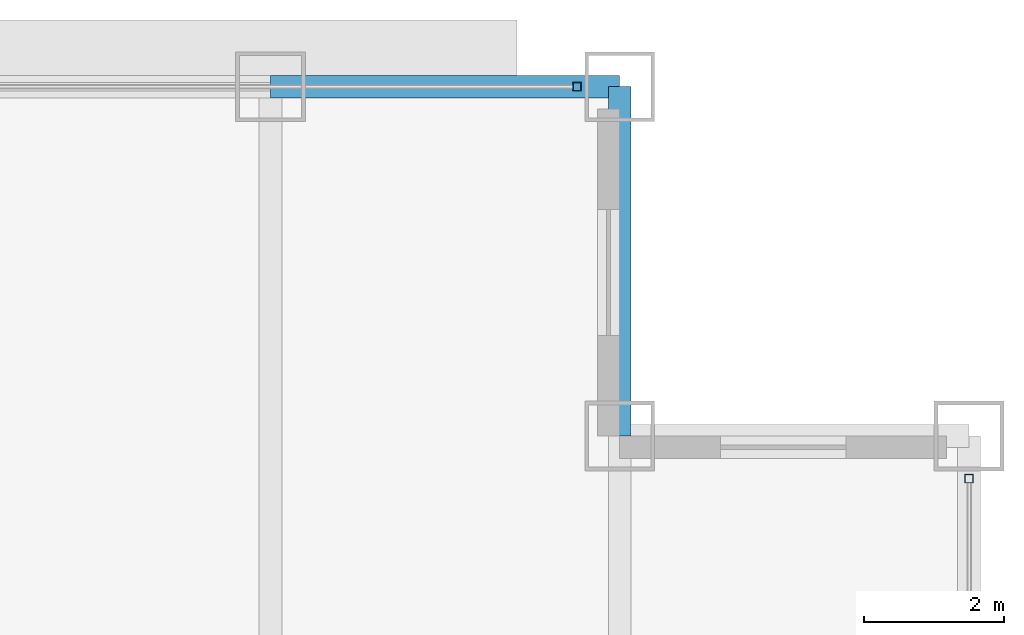
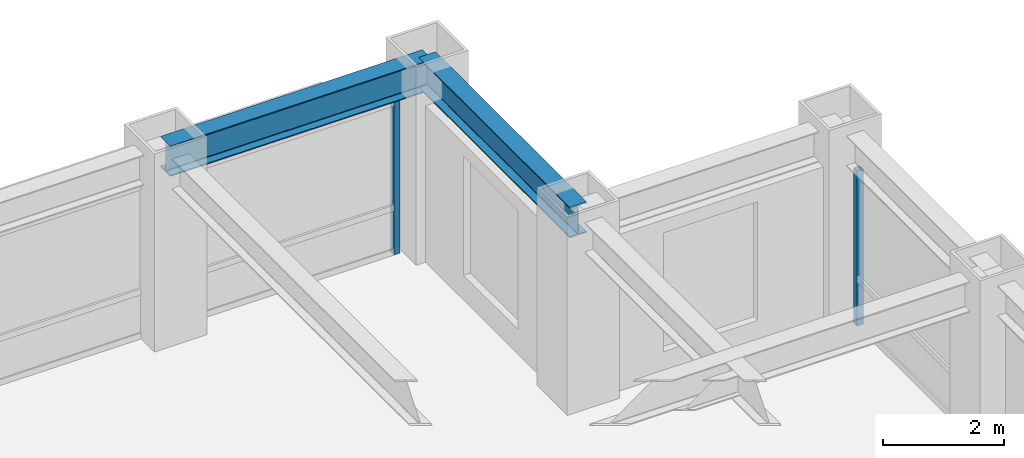
# One storey, part 18 of 29: 2 beams, 2 members, 2 elements without a shape of their own.
"""IFC4 building model written with IfcOpenShell, lengths in metres."""

from ifc_helpers import new_model, si_unit, direction, frame, origin, origin_2d, place, context, subcontext, project, spatial, hollow_rectangle, i_section, extrude, source, transform, mapped, material, material_profile, profile_set, type_object, element, aggregate, save


model = new_model("IFC4")

# Units and contexts
model_context = context("Model", 3, precision=1e-05, world=origin(), true_north=direction((0.0, 1.0)))
body_context = subcontext(model_context, "Body", "Model", "MODEL_VIEW")
ifc_project = project(units=[si_unit("LENGTHUNIT", "METRE"), si_unit("AREAUNIT", "SQUARE_METRE"), si_unit("VOLUMEUNIT", "CUBIC_METRE"), si_unit("PLANEANGLEUNIT", "RADIAN"), si_unit("MASSUNIT", "GRAM", prefix="KILO")], contexts=[model_context])

# Site, building, storey
site_placement = place(None, origin())
site = spatial("IfcSite", under=ifc_project, at=site_placement, CompositionType="ELEMENT")
building_placement = place(site_placement, origin())
building = spatial("IfcBuilding", under=site, at=building_placement, Name="Khorayat Bourse Tower", CompositionType="ELEMENT")
storey_placement = place(building_placement, frame((0.0, 0.0, 239.10009765625)))
storey = spatial("IfcBuildingStorey", under=building, at=storey_placement, Name="L56", CompositionType="ELEMENT", Elevation=239.10009765625)

# Beams
ifc_material_1 = material(Name="Steel ASTM A992 Grade 50", Category="steel")
ifc_material_profile_1 = material_profile(ifc_material_1, i_section(OverallWidth=0.324951171875, OverallDepth=0.615966796875, WebThickness=0.013916015625, FlangeThickness=0.021484375, FilletRadius=0.01611328125, at=origin_2d()), Name="W610X174")
ifc_profile_set_1 = profile_set([ifc_material_profile_1], Name="Steel ASTM A992 Grade 50")
beam_type = type_object("IfcBeamType", Name="BM-SPAN-610", PredefinedType="SPANDREL", material=ifc_profile_set_1)
shared_shape_1 = source(origin(), body_context, "Body", "SweptSolid", [
    extrude(i_section(OverallWidth=0.324951171875, OverallDepth=0.615966796875, WebThickness=0.013916015625, FlangeThickness=0.021484375, FilletRadius=0.01611328125, at=origin_2d()), origin(), (0.0, 0.0, 1.0), 5.0),
])
for number, where, z_axis, x_axis, name in (
    (1, (25.0, 25.0, 3.471923828125), (0.0, 1.0, 0.0), (-1.0, 0.0, 0.0), "L56 BM-SPAN-610 BM-L56-SPN-043"),
    (2, (20.0, 30.0, 3.471923828125), (1.0, 0.0, 0.0), (0.0, 1.0, 0.0), "L56 BM-SPAN-610 BM-L56-SPN-044"),
):
    element("IfcBeam", number, at=place(storey_placement, frame(where, z_axis=z_axis, x_axis=x_axis)), inside=storey, type_object=beam_type, Name=name, PredefinedType="SPANDREL", context=body_context, shape_type="MappedRepresentation", body=[
        mapped(shared_shape_1, transform((0.0, 0.0, 0.0), scale=1.0)),
    ])

# Curtain wall, member
ifc_material_2 = material(Name="Aluminium EN AW-6063 T6", Category="aluminium")
curtain_wall_type = type_object("IfcCurtainWallType", Name="CW-SYS-03", PredefinedType="NOTDEFINED", material=ifc_material_2)
curtain_wall_1_placement = place(storey_placement, origin())
curtain_wall_1 = element("IfcCurtainWall", 3, at=curtain_wall_1_placement, inside=storey, type_object=curtain_wall_type, Name="L56 Curtain Wall CW-L56-N1", PredefinedType="NOTDEFINED")
ifc_material_profile_2 = material_profile(ifc_material_2, hollow_rectangle(XDim=0.1201171875, YDim=0.1201171875, WallThickness=0.0048828125, at=origin_2d()), Name="ALU 120x120x5")
ifc_profile_set_2 = profile_set([ifc_material_profile_2], Name="Aluminium EN AW-6063 T6")
member_type = type_object("IfcMemberType", Name="CWM-VERT-120", PredefinedType="MULLION", material=ifc_profile_set_2)
shared_shape_2 = source(origin(), body_context, "Body", "SweptSolid", [
    extrude(hollow_rectangle(XDim=0.1201171875, YDim=0.1201171875, WallThickness=0.0048828125, at=origin_2d()), origin(), (0.0, 0.0, 1.0), 3.1298828125),
])
member_1_placement = place(storey_placement, frame((24.389892578125, 30.0, 0.0), z_axis=(0.0, 0.0, 1.0), x_axis=(0.0, 1.0, 0.0)))
member_1 = element("IfcMember", 4, at=member_1_placement, type_object=member_type, Name="CW-L56-N1 Vertical Mullion 3", PredefinedType="MULLION", context=body_context, shape_type="MappedRepresentation", body=[
    mapped(shared_shape_2, transform((0.0, 0.0, 0.0), scale=1.0)),
])
aggregate(curtain_wall_1, [member_1])

curtain_wall_2_placement = place(storey_placement, origin())
curtain_wall_2 = element("IfcCurtainWall", 5, at=curtain_wall_2_placement, inside=storey, type_object=curtain_wall_type, Name="L56 Curtain Wall CW-L56-E1", PredefinedType="NOTDEFINED")
member_2_placement = place(storey_placement, frame((30.0, 24.389892578125, 0.0), z_axis=(0.0, 0.0, 1.0), x_axis=(-1.0, 0.0, 0.0)))
member_2 = element("IfcMember", 6, at=member_2_placement, type_object=member_type, Name="CW-L56-E1 Vertical Mullion 3", PredefinedType="MULLION", context=body_context, shape_type="MappedRepresentation", body=[
    mapped(shared_shape_2, transform((0.0, 0.0, 0.0), scale=1.0)),
])
aggregate(curtain_wall_2, [member_2])

save(model, "model.ifc")
